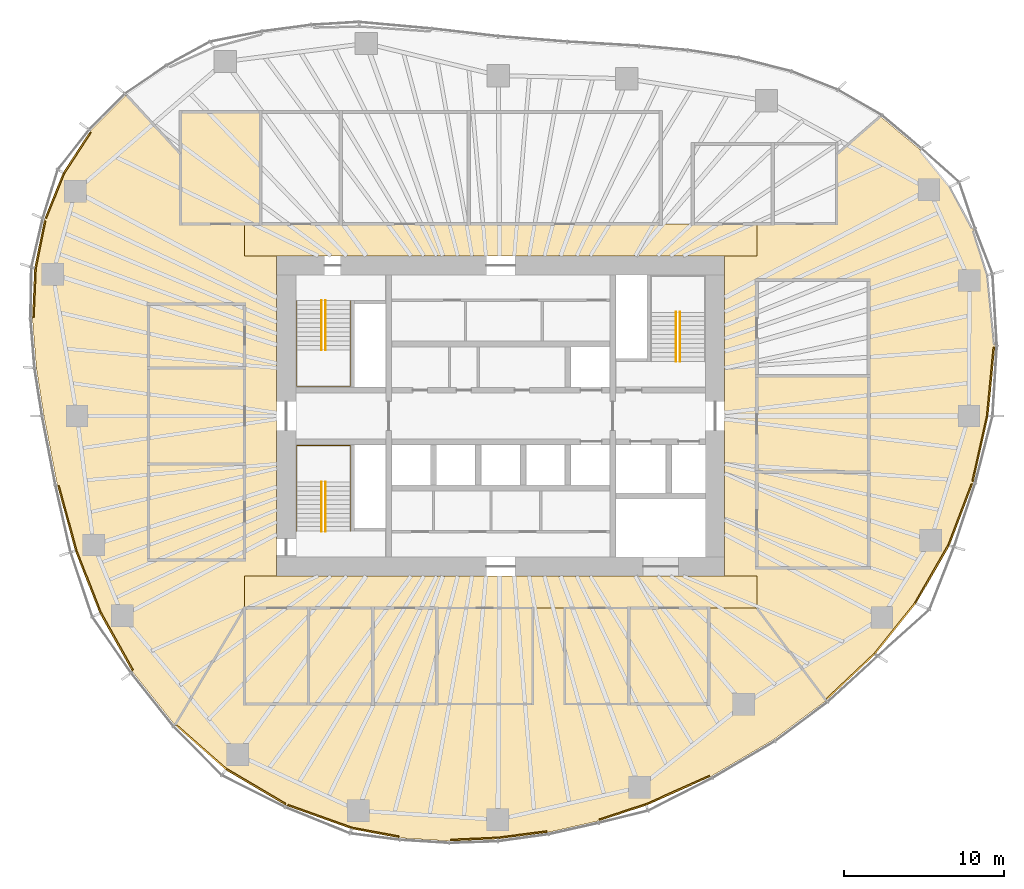
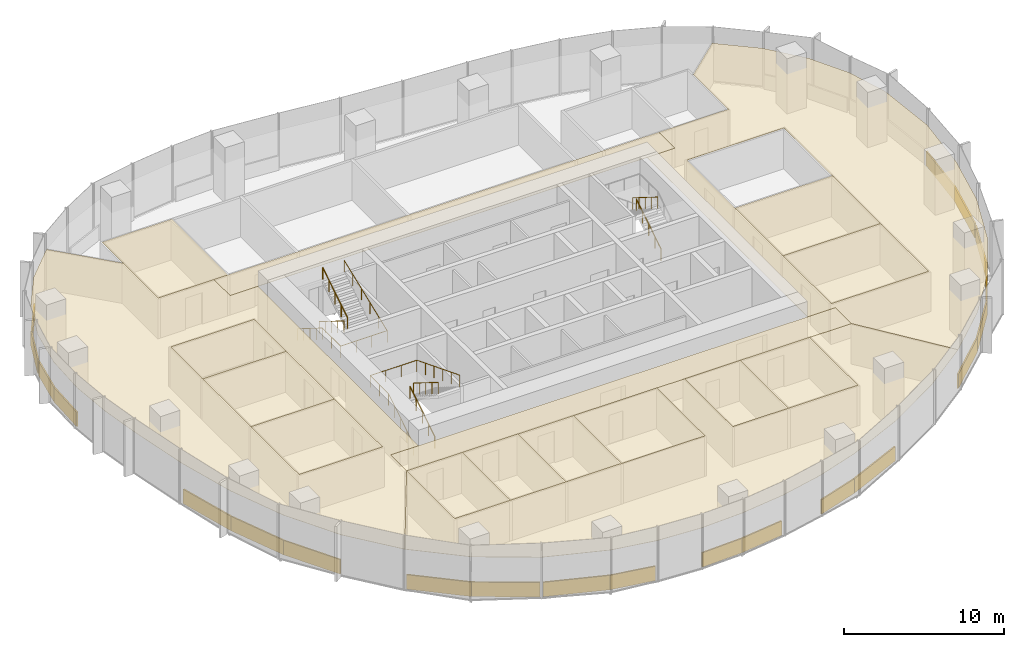
# One storey, part 17 of 18: 38 coverings, 8 railings.
"""IFC4 building model written with IfcOpenShell, lengths in metres."""

from ifc_helpers import new_model, si_unit, direction, frame, origin, origin_2d, place, context, subcontext, project, spatial, polyline, rectangle, circle, outline, extrude, material, layer, layer_set, type_object, element, save


model = new_model("IFC4")

# Units and contexts
model_context = context("Model", 3, precision=1e-05, world=origin(), true_north=direction((0.0, 1.0)))
body_context = subcontext(model_context, "Body", "Model", "MODEL_VIEW")
ifc_project = project(units=[si_unit("LENGTHUNIT", "METRE"), si_unit("AREAUNIT", "SQUARE_METRE"), si_unit("VOLUMEUNIT", "CUBIC_METRE"), si_unit("PLANEANGLEUNIT", "RADIAN"), si_unit("MASSUNIT", "GRAM", prefix="KILO")], contexts=[model_context])

# Site, building, storey
site_placement = place(None, origin())
site = spatial("IfcSite", under=ifc_project, at=site_placement, CompositionType="ELEMENT")
building_placement = place(site_placement, origin())
building = spatial("IfcBuilding", under=site, at=building_placement, Name="Ghaith Harvest Tower", CompositionType="ELEMENT")
storey_placement = place(building_placement, frame((0.0, 0.0, 180.60009765625)))
storey = spatial("IfcBuildingStorey", under=building, at=storey_placement, Name="L39", CompositionType="ELEMENT", Elevation=180.60009765625)

# Coverings
ifc_material_1 = material(Name="Mineral fibre ceiling tile", Category="gypsum")
ifc_layer_1 = layer(ifc_material_1, 0.02001953125)
ifc_layer_set_1 = layer_set([ifc_layer_1], Name="CEILING C1")
covering_type_1 = type_object("IfcCoveringType", Name="CEILING C1", PredefinedType="CEILING", material=ifc_layer_set_1)
covering_1_placement = place(storey_placement, frame((0.0, 0.0, 3.0)))
element("IfcCovering", 1, at=covering_1_placement, inside=storey, type_object=covering_type_1, Name="Ceiling L39-01", PredefinedType="CEILING", context=body_context, shape_type="SweptSolid", body=[
    extrude(outline(polyline([(-20.0, 12.0), (-15.0, 12.0), (-15.0, 19.0), (-20.0, 19.0), (-20.0, 12.0)])), origin(), (0.0, 0.0, 1.0), 0.02001953125),
])
covering_2_placement = place(storey_placement, frame((0.0, 0.0, 3.0)))
element("IfcCovering", 2, at=covering_2_placement, inside=storey, type_object=covering_type_1, Name="Ceiling L39-05", PredefinedType="CEILING", context=body_context, shape_type="SweptSolid", body=[
    extrude(outline(polyline([(16.0, -9.5), (23.0, -9.5), (23.0, -3.5), (16.0, -3.5), (16.0, -9.5)])), origin(), (0.0, 0.0, 1.0), 0.02001953125),
])
covering_3_placement = place(storey_placement, frame((0.0, 0.0, 3.0)))
element("IfcCovering", 3, at=covering_3_placement, inside=storey, type_object=covering_type_1, Name="Ceiling L39-06", PredefinedType="CEILING", context=body_context, shape_type="SweptSolid", body=[
    extrude(outline(polyline([(16.0, -3.5), (23.0, -3.5), (23.0, 2.5), (16.0, 2.5), (16.0, -3.5)])), origin(), (0.0, 0.0, 1.0), 0.02001953125),
])
covering_4_placement = place(storey_placement, frame((0.0, 0.0, 3.0)))
element("IfcCovering", 4, at=covering_4_placement, inside=storey, type_object=covering_type_1, Name="Ceiling L39-08", PredefinedType="CEILING", context=body_context, shape_type="SweptSolid", body=[
    extrude(outline(polyline([(-16.0, -18.0), (-12.0, -18.0), (-12.0, -12.0), (-16.0, -12.0), (-16.0, -18.0)])), origin(), (0.0, 0.0, 1.0), 0.02001953125),
])
covering_5_placement = place(storey_placement, frame((0.0, 0.0, 3.0)))
element("IfcCovering", 5, at=covering_5_placement, inside=storey, type_object=covering_type_1, Name="Ceiling L39-09", PredefinedType="CEILING", context=body_context, shape_type="SweptSolid", body=[
    extrude(outline(polyline([(-12.0, -18.0), (-8.0, -18.0), (-8.0, -12.0), (-12.0, -12.0), (-12.0, -18.0)])), origin(), (0.0, 0.0, 1.0), 0.02001953125),
])
covering_6_placement = place(storey_placement, frame((0.0, 0.0, 3.0)))
element("IfcCovering", 6, at=covering_6_placement, inside=storey, type_object=covering_type_1, Name="Ceiling L39-10", PredefinedType="CEILING", context=body_context, shape_type="SweptSolid", body=[
    extrude(outline(polyline([(-8.0, -18.0), (-4.0, -18.0), (-4.0, -12.0), (-8.0, -12.0), (-8.0, -18.0)])), origin(), (0.0, 0.0, 1.0), 0.02001953125),
])
covering_7_placement = place(storey_placement, frame((0.0, 0.0, 3.0)))
element("IfcCovering", 7, at=covering_7_placement, inside=storey, type_object=covering_type_1, Name="Ceiling L39-11", PredefinedType="CEILING", context=body_context, shape_type="SweptSolid", body=[
    extrude(outline(polyline([(-4.0, -18.0), (2.0, -18.0), (2.0, -12.0), (-4.0, -12.0), (-4.0, -18.0)])), origin(), (0.0, 0.0, 1.0), 0.02001953125),
])
covering_8_placement = place(storey_placement, frame((0.0, 0.0, 3.0)))
element("IfcCovering", 8, at=covering_8_placement, inside=storey, type_object=covering_type_1, Name="Ceiling L39-12", PredefinedType="CEILING", context=body_context, shape_type="SweptSolid", body=[
    extrude(outline(polyline([(4.0, -18.0), (8.0, -18.0), (8.0, -12.0), (4.0, -12.0), (4.0, -18.0)])), origin(), (0.0, 0.0, 1.0), 0.02001953125),
])
covering_9_placement = place(storey_placement, frame((0.0, 0.0, 3.0)))
element("IfcCovering", 9, at=covering_9_placement, inside=storey, type_object=covering_type_1, Name="Ceiling L39-13", PredefinedType="CEILING", context=body_context, shape_type="SweptSolid", body=[
    extrude(outline(polyline([(8.0, -18.0), (13.0, -18.0), (13.0, -12.0), (8.0, -12.0), (8.0, -18.0)])), origin(), (0.0, 0.0, 1.0), 0.02001953125),
])
covering_10_placement = place(storey_placement, frame((0.0, 0.0, 3.0)))
element("IfcCovering", 10, at=covering_10_placement, inside=storey, type_object=covering_type_1, Name="Ceiling L39-14", PredefinedType="CEILING", context=body_context, shape_type="SweptSolid", body=[
    extrude(outline(polyline([(-22.0, -9.0), (-16.0, -9.0), (-16.0, -3.0), (-22.0, -3.0), (-22.0, -9.0)])), origin(), (0.0, 0.0, 1.0), 0.02001953125),
])
covering_11_placement = place(storey_placement, frame((0.0, 0.0, 3.0)))
element("IfcCovering", 11, at=covering_11_placement, inside=storey, type_object=covering_type_1, Name="Ceiling L39-15", PredefinedType="CEILING", context=body_context, shape_type="SweptSolid", body=[
    extrude(outline(polyline([(-22.0, -3.0), (-16.0, -3.0), (-16.0, 3.0), (-22.0, 3.0), (-22.0, -3.0)])), origin(), (0.0, 0.0, 1.0), 0.02001953125),
])
covering_12_placement = place(storey_placement, frame((0.0, 0.0, 3.0)))
element("IfcCovering", 12, at=covering_12_placement, inside=storey, type_object=covering_type_1, Name="Ceiling L39-16", PredefinedType="CEILING", context=body_context, shape_type="SweptSolid", body=[
    extrude(outline(polyline([(-22.0, 3.0), (-16.0, 3.0), (-16.0, 7.0), (-22.0, 7.0), (-22.0, 3.0)])), origin(), (0.0, 0.0, 1.0), 0.02001953125),
])
covering_13_placement = place(storey_placement, frame((0.0, 0.0, 3.0)))
element("IfcCovering", 13, at=covering_13_placement, inside=storey, type_object=covering_type_1, Name="Ceiling L39-C1", PredefinedType="CEILING", context=body_context, shape_type="SweptSolid", body=[
    extrude(outline(polyline([(16.0, 10.0), (-16.0, 10.0), (-16.0, 12.0), (16.0, 12.0), (16.0, 10.0)])), origin(), (0.0, 0.0, 1.0), 0.02001953125),
])
covering_14_placement = place(storey_placement, frame((0.0, 0.0, 3.0)))
element("IfcCovering", 14, at=covering_14_placement, inside=storey, type_object=covering_type_1, Name="Ceiling L39-C2", PredefinedType="CEILING", context=body_context, shape_type="SweptSolid", body=[
    extrude(outline(polyline([(-16.0, -10.0), (16.0, -10.0), (16.0, -12.0), (-16.0, -12.0), (-16.0, -10.0)])), origin(), (0.0, 0.0, 1.0), 0.02001953125),
])
covering_15_placement = place(storey_placement, frame((0.0, 0.0, 3.0)))
element("IfcCovering", 15, at=covering_15_placement, inside=storey, type_object=covering_type_1, Name="Ceiling L39-E1", PredefinedType="CEILING", context=body_context, shape_type="SweptSolid", body=[
    extrude(outline(polyline([(26.179443359375, 16.660888671875), (28.0888671875, 14.32568359375), (29.52294921875, 11.671875), (30.439208984375, 8.797607421875), (30.8798828125, 4.373046875), (30.458740234375, 0.0), (29.527099609375, -4.181396484375), (28.03125, -8.1015625), (25.94775390625, -11.714111328125), (23.400390625, -14.89208984375), (20.33935546875, -17.784912109375), (16.0, -12.0), (16.0, -10.0), (14.0, -10.0), (14.0, 10.0), (16.0, 10.0), (16.0, 12.0), (21.0, 12.0), (21.0, 16.3466796875), (23.7275390625, 18.718017578125), (26.179443359375, 16.660888671875)]), holes=[polyline([(16.0, -9.5), (23.0, -9.5), (23.0, 8.5), (16.0, 8.5), (16.0, -9.5)])]), origin(), (0.0, 0.0, 1.0), 0.02001953125),
])
covering_16_placement = place(storey_placement, frame((0.0, 0.0, 3.0)))
element("IfcCovering", 16, at=covering_16_placement, inside=storey, type_object=covering_type_1, Name="Ceiling L39-S1", PredefinedType="CEILING", context=body_context, shape_type="SweptSolid", body=[
    extrude(outline(polyline([(17.054443359375, -20.22412109375), (13.163818359375, -22.510498046875), (9.09423828125, -24.326904296875), (6.09228515625, -25.308837890625), (2.99609375, -26.010009765625), (-0.180908203125, -26.423583984375), (-3.204833984375, -26.556884765625), (-6.2666015625, -26.366455078125), (-9.317138671875, -25.79638671875), (-13.4052734375, -24.33740234375), (-17.1728515625, -22.11181640625), (-20.35400390625, -19.31396484375), (-16.0, -12.0), (-16.0, -18.0), (2.0, -18.0), (2.0, -12.0), (4.0, -12.0), (4.0, -18.0), (13.0, -18.0), (13.0, -12.0), (16.0, -12.0), (20.33935546875, -17.784912109375), (17.054443359375, -20.22412109375)])), origin(), (0.0, 0.0, 1.0), 0.02001953125),
])
covering_17_placement = place(storey_placement, frame((0.0, 0.0, 3.0)))
element("IfcCovering", 17, at=covering_17_placement, inside=storey, type_object=covering_type_1, Name="Ceiling L39-W1", PredefinedType="CEILING", context=body_context, shape_type="SweptSolid", body=[
    extrude(outline(polyline([(-27.70947265625, -4.285888671875), (-28.541259765625, 0.0), (-29.01171875, 2.978271484375), (-29.260498046875, 6.07177734375), (-29.12646484375, 9.230712890625), (-28.506591796875, 12.29638671875), (-27.33837890625, 15.204833984375), (-25.61962890625, 17.826416015625), (-23.398193359375, 20.06103515625), (-20.0, 16.3583984375), (-20.0, 12.0), (-16.0, 12.0), (-16.0, 10.0), (-14.0, 10.0), (-14.0, -10.0), (-16.0, -10.0), (-16.0, -12.0), (-20.35400390625, -19.31396484375), (-22.99169921875, -15.997802734375), (-25.046875, -12.32861328125), (-26.580078125, -8.423583984375), (-27.70947265625, -4.285888671875)]), holes=[polyline([(-22.0, 7.0), (-22.0, -9.0), (-16.0, -9.0), (-16.0, 7.0), (-22.0, 7.0)])]), origin(), (0.0, 0.0, 1.0), 0.02001953125),
])

# Railings
ifc_material_2 = material(Name="Steel, black powder-coated", Category="steel")
railing_type = type_object("IfcRailingType", Name="HANDRAIL HR1", PredefinedType="HANDRAIL", material=ifc_material_2)
railing_1_placement = place(storey_placement, frame((-11.199951171875, 7.199951171875, 0.1748046875)))
element("IfcRailing", 18, at=railing_1_placement, inside=storey, type_object=railing_type, Name="Handrail HR1 stair ST1 L39 flight 1 inner", PredefinedType="HANDRAIL", context=body_context, shape_type="SweptSolid", body=[
    extrude(circle(Radius=0.02392578125, at=origin_2d()), frame((0.0, 0.0, 0.8759765625), z_axis=(0.0, -0.847979421464, 0.530029150871), x_axis=(1.0, 0.0, 0.0)), (0.0, 0.0, 1.0), 3.632080078125),
    extrude(circle(Radius=0.02099609375, at=origin_2d()), origin(), (0.0, 0.0, 1.0), 0.851806640625),
    extrude(circle(Radius=0.02099609375, at=origin_2d()), frame((0.0, -0.77001953125, 0.481201171875)), (0.0, 0.0, 1.0), 0.851806640625),
    extrude(circle(Radius=0.02099609375, at=origin_2d()), frame((0.0, -1.5400390625, 0.96240234375)), (0.0, 0.0, 1.0), 0.851806640625),
    extrude(circle(Radius=0.02099609375, at=origin_2d()), frame((0.0, -2.309814453125, 1.44384765625)), (0.0, 0.0, 1.0), 0.851806640625),
    extrude(circle(Radius=0.02099609375, at=origin_2d()), frame((0.0, -3.079833984375, 1.925048828125)), (0.0, 0.0, 1.0), 0.851806640625),
])
railing_2_placement = place(storey_placement, frame((-10.949951171875, 4.1201171875, 2.27490234375)))
element("IfcRailing", 19, at=railing_2_placement, inside=storey, type_object=railing_type, Name="Handrail HR1 stair ST1 L39 flight 2 inner", PredefinedType="HANDRAIL", context=body_context, shape_type="SweptSolid", body=[
    extrude(circle(Radius=0.02392578125, at=origin_2d()), frame((0.0, 0.0, 0.8759765625), z_axis=(0.0, 0.847979421464, 0.530029150871), x_axis=(-1.0, 0.0, 0.0)), (0.0, 0.0, 1.0), 3.632080078125),
    extrude(circle(Radius=0.02099609375, at=origin_2d()), origin(), (0.0, 0.0, 1.0), 0.851806640625),
    extrude(circle(Radius=0.02099609375, at=origin_2d()), frame((0.0, 0.77001953125, 0.481201171875)), (0.0, 0.0, 1.0), 0.851806640625),
    extrude(circle(Radius=0.02099609375, at=origin_2d()), frame((0.0, 1.5400390625, 0.96240234375)), (0.0, 0.0, 1.0), 0.851806640625),
    extrude(circle(Radius=0.02099609375, at=origin_2d()), frame((0.0, 2.309814453125, 1.44384765625)), (0.0, 0.0, 1.0), 0.851806640625),
    extrude(circle(Radius=0.02099609375, at=origin_2d()), frame((0.0, 3.079833984375, 1.925048828125)), (0.0, 0.0, 1.0), 0.851806640625),
])
railing_3_placement = place(storey_placement, frame((-12.75, 7.199951171875, 0.1748046875)))
element("IfcRailing", 20, at=railing_3_placement, inside=storey, type_object=railing_type, Name="Handrail HR1 stair ST1 L39 wall side", PredefinedType="HANDRAIL", context=body_context, shape_type="SweptSolid", body=[
    extrude(circle(Radius=0.02392578125, at=origin_2d()), frame((0.0, 0.0, 0.8759765625), z_axis=(0.0, -0.847979421464, 0.530029150871), x_axis=(1.0, 0.0, 0.0)), (0.0, 0.0, 1.0), 3.632080078125),
    extrude(circle(Radius=0.02392578125, at=origin_2d()), frame((0.0, -3.079833984375, 2.80078125), z_axis=(0.0, -1.0, 0.0), x_axis=(1.0, 0.0, 0.0)), (0.0, 0.0, 1.0), 2.27001953125),
    extrude(circle(Radius=0.02392578125, at=origin_2d()), frame((0.0, -5.349853515625, 2.80078125), z_axis=(1.0, 0.0, 0.0), x_axis=(0.0, 1.0, 0.0)), (0.0, 0.0, 1.0), 3.35009765625),
    extrude(circle(Radius=0.02392578125, at=origin_2d()), frame((3.35009765625, -5.349853515625, 2.80078125), z_axis=(0.0, 0.930848013298, 0.36540659017), x_axis=(-1.0, 0.0, 0.0)), (0.0, 0.0, 1.0), 5.747314453125),
    extrude(circle(Radius=0.02099609375, at=origin_2d()), origin(), (0.0, 0.0, 1.0), 0.851806640625),
    extrude(circle(Radius=0.02099609375, at=origin_2d()), frame((0.0, -0.77001953125, 0.481201171875)), (0.0, 0.0, 1.0), 0.851806640625),
    extrude(circle(Radius=0.02099609375, at=origin_2d()), frame((0.0, -1.5400390625, 0.96240234375)), (0.0, 0.0, 1.0), 0.851806640625),
    extrude(circle(Radius=0.02099609375, at=origin_2d()), frame((0.0, -2.309814453125, 1.44384765625)), (0.0, 0.0, 1.0), 0.851806640625),
    extrude(circle(Radius=0.02099609375, at=origin_2d()), frame((0.0, -3.079833984375, 1.925048828125)), (0.0, 0.0, 1.0), 0.851806640625),
    extrude(circle(Radius=0.02099609375, at=origin_2d()), frame((0.0, -4.21484375, 1.925048828125)), (0.0, 0.0, 1.0), 0.851806640625),
    extrude(circle(Radius=0.02099609375, at=origin_2d()), frame((0.0, -5.349853515625, 1.925048828125)), (0.0, 0.0, 1.0), 0.851806640625),
    extrude(circle(Radius=0.02099609375, at=origin_2d()), frame((1.11669921875, -5.349853515625, 1.925048828125)), (0.0, 0.0, 1.0), 0.851806640625),
    extrude(circle(Radius=0.02099609375, at=origin_2d()), frame((2.2333984375, -5.349853515625, 1.925048828125)), (0.0, 0.0, 1.0), 0.851806640625),
    extrude(circle(Radius=0.02099609375, at=origin_2d()), frame((3.35009765625, -5.349853515625, 1.925048828125)), (0.0, 0.0, 1.0), 0.851806640625),
    extrude(circle(Radius=0.02099609375, at=origin_2d()), frame((3.35009765625, -4.27978515625, 2.344970703125)), (0.0, 0.0, 1.0), 0.851806640625),
    extrude(circle(Radius=0.02099609375, at=origin_2d()), frame((3.35009765625, -3.2099609375, 2.76513671875)), (0.0, 0.0, 1.0), 0.851806640625),
    extrude(circle(Radius=0.02099609375, at=origin_2d()), frame((3.35009765625, -2.139892578125, 3.18505859375)), (0.0, 0.0, 1.0), 0.851806640625),
    extrude(circle(Radius=0.02099609375, at=origin_2d()), frame((3.35009765625, -1.070068359375, 3.605224609375)), (0.0, 0.0, 1.0), 0.851806640625),
    extrude(circle(Radius=0.02099609375, at=origin_2d()), frame((3.35009765625, 0.0, 4.025146484375)), (0.0, 0.0, 1.0), 0.851806640625),
])
railing_4_placement = place(storey_placement, frame((-11.199951171875, -7.199951171875, 0.1748046875)))
element("IfcRailing", 21, at=railing_4_placement, inside=storey, type_object=railing_type, Name="Handrail HR1 stair ST3 L39 flight 1 inner", PredefinedType="HANDRAIL", context=body_context, shape_type="SweptSolid", body=[
    extrude(circle(Radius=0.02392578125, at=origin_2d()), frame((0.0, 0.0, 0.8759765625), z_axis=(0.0, 0.847979421464, 0.530029150871), x_axis=(-1.0, 0.0, 0.0)), (0.0, 0.0, 1.0), 3.632080078125),
    extrude(circle(Radius=0.02099609375, at=origin_2d()), origin(), (0.0, 0.0, 1.0), 0.851806640625),
    extrude(circle(Radius=0.02099609375, at=origin_2d()), frame((0.0, 0.77001953125, 0.481201171875)), (0.0, 0.0, 1.0), 0.851806640625),
    extrude(circle(Radius=0.02099609375, at=origin_2d()), frame((0.0, 1.5400390625, 0.96240234375)), (0.0, 0.0, 1.0), 0.851806640625),
    extrude(circle(Radius=0.02099609375, at=origin_2d()), frame((0.0, 2.309814453125, 1.44384765625)), (0.0, 0.0, 1.0), 0.851806640625),
    extrude(circle(Radius=0.02099609375, at=origin_2d()), frame((0.0, 3.079833984375, 1.925048828125)), (0.0, 0.0, 1.0), 0.851806640625),
])
railing_5_placement = place(storey_placement, frame((-10.949951171875, -4.1201171875, 2.27490234375)))
element("IfcRailing", 22, at=railing_5_placement, inside=storey, type_object=railing_type, Name="Handrail HR1 stair ST3 L39 flight 2 inner", PredefinedType="HANDRAIL", context=body_context, shape_type="SweptSolid", body=[
    extrude(circle(Radius=0.02392578125, at=origin_2d()), frame((0.0, 0.0, 0.8759765625), z_axis=(0.0, -0.847979421464, 0.530029150871), x_axis=(1.0, 0.0, 0.0)), (0.0, 0.0, 1.0), 3.632080078125),
    extrude(circle(Radius=0.02099609375, at=origin_2d()), origin(), (0.0, 0.0, 1.0), 0.851806640625),
    extrude(circle(Radius=0.02099609375, at=origin_2d()), frame((0.0, -0.77001953125, 0.481201171875)), (0.0, 0.0, 1.0), 0.851806640625),
    extrude(circle(Radius=0.02099609375, at=origin_2d()), frame((0.0, -1.5400390625, 0.96240234375)), (0.0, 0.0, 1.0), 0.851806640625),
    extrude(circle(Radius=0.02099609375, at=origin_2d()), frame((0.0, -2.309814453125, 1.44384765625)), (0.0, 0.0, 1.0), 0.851806640625),
    extrude(circle(Radius=0.02099609375, at=origin_2d()), frame((0.0, -3.079833984375, 1.925048828125)), (0.0, 0.0, 1.0), 0.851806640625),
])
railing_6_placement = place(storey_placement, frame((-12.75, -7.199951171875, 0.1748046875)))
element("IfcRailing", 23, at=railing_6_placement, inside=storey, type_object=railing_type, Name="Handrail HR1 stair ST3 L39 wall side", PredefinedType="HANDRAIL", context=body_context, shape_type="SweptSolid", body=[
    extrude(circle(Radius=0.02392578125, at=origin_2d()), frame((0.0, 0.0, 0.8759765625), z_axis=(0.0, 0.847979421464, 0.530029150871), x_axis=(-1.0, 0.0, 0.0)), (0.0, 0.0, 1.0), 3.632080078125),
    extrude(circle(Radius=0.02392578125, at=origin_2d()), frame((0.0, 3.079833984375, 2.80078125), z_axis=(0.0, 1.0, 0.0), x_axis=(-1.0, 0.0, 0.0)), (0.0, 0.0, 1.0), 2.27001953125),
    extrude(circle(Radius=0.02392578125, at=origin_2d()), frame((0.0, 5.349853515625, 2.80078125), z_axis=(1.0, 0.0, 0.0), x_axis=(0.0, 1.0, 0.0)), (0.0, 0.0, 1.0), 3.35009765625),
    extrude(circle(Radius=0.02392578125, at=origin_2d()), frame((3.35009765625, 5.349853515625, 2.80078125), z_axis=(0.0, -0.930848013298, 0.36540659017), x_axis=(1.0, 0.0, 0.0)), (0.0, 0.0, 1.0), 5.747314453125),
    extrude(circle(Radius=0.02099609375, at=origin_2d()), origin(), (0.0, 0.0, 1.0), 0.851806640625),
    extrude(circle(Radius=0.02099609375, at=origin_2d()), frame((0.0, 0.77001953125, 0.481201171875)), (0.0, 0.0, 1.0), 0.851806640625),
    extrude(circle(Radius=0.02099609375, at=origin_2d()), frame((0.0, 1.5400390625, 0.96240234375)), (0.0, 0.0, 1.0), 0.851806640625),
    extrude(circle(Radius=0.02099609375, at=origin_2d()), frame((0.0, 2.309814453125, 1.44384765625)), (0.0, 0.0, 1.0), 0.851806640625),
    extrude(circle(Radius=0.02099609375, at=origin_2d()), frame((0.0, 3.079833984375, 1.925048828125)), (0.0, 0.0, 1.0), 0.851806640625),
    extrude(circle(Radius=0.02099609375, at=origin_2d()), frame((0.0, 4.21484375, 1.925048828125)), (0.0, 0.0, 1.0), 0.851806640625),
    extrude(circle(Radius=0.02099609375, at=origin_2d()), frame((0.0, 5.349853515625, 1.925048828125)), (0.0, 0.0, 1.0), 0.851806640625),
    extrude(circle(Radius=0.02099609375, at=origin_2d()), frame((1.11669921875, 5.349853515625, 1.925048828125)), (0.0, 0.0, 1.0), 0.851806640625),
    extrude(circle(Radius=0.02099609375, at=origin_2d()), frame((2.2333984375, 5.349853515625, 1.925048828125)), (0.0, 0.0, 1.0), 0.851806640625),
    extrude(circle(Radius=0.02099609375, at=origin_2d()), frame((3.35009765625, 5.349853515625, 1.925048828125)), (0.0, 0.0, 1.0), 0.851806640625),
    extrude(circle(Radius=0.02099609375, at=origin_2d()), frame((3.35009765625, 4.27978515625, 2.344970703125)), (0.0, 0.0, 1.0), 0.851806640625),
    extrude(circle(Radius=0.02099609375, at=origin_2d()), frame((3.35009765625, 3.2099609375, 2.76513671875)), (0.0, 0.0, 1.0), 0.851806640625),
    extrude(circle(Radius=0.02099609375, at=origin_2d()), frame((3.35009765625, 2.139892578125, 3.18505859375)), (0.0, 0.0, 1.0), 0.851806640625),
    extrude(circle(Radius=0.02099609375, at=origin_2d()), frame((3.35009765625, 1.070068359375, 3.605224609375)), (0.0, 0.0, 1.0), 0.851806640625),
    extrude(circle(Radius=0.02099609375, at=origin_2d()), frame((3.35009765625, 0.0, 4.025146484375)), (0.0, 0.0, 1.0), 0.851806640625),
])
railing_7_placement = place(storey_placement, frame((11.199951171875, 3.39990234375, 0.1748046875)))
element("IfcRailing", 24, at=railing_7_placement, inside=storey, type_object=railing_type, Name="Handrail HR1 stair ST2 L39 flight 1 inner", PredefinedType="HANDRAIL", context=body_context, shape_type="SweptSolid", body=[
    extrude(circle(Radius=0.02392578125, at=origin_2d()), frame((0.0, 0.0, 0.8759765625), z_axis=(0.0, 0.847998304005, 0.529998940003), x_axis=(-1.0, 0.0, 0.0)), (0.0, 0.0, 1.0), 3.632080078125),
    extrude(circle(Radius=0.02099609375, at=origin_2d()), origin(), (0.0, 0.0, 1.0), 0.851806640625),
    extrude(circle(Radius=0.02099609375, at=origin_2d()), frame((0.0, 0.77001953125, 0.481201171875)), (0.0, 0.0, 1.0), 0.851806640625),
    extrude(circle(Radius=0.02099609375, at=origin_2d()), frame((0.0, 1.5400390625, 0.96240234375)), (0.0, 0.0, 1.0), 0.851806640625),
    extrude(circle(Radius=0.02099609375, at=origin_2d()), frame((0.0, 2.31005859375, 1.44384765625)), (0.0, 0.0, 1.0), 0.851806640625),
    extrude(circle(Radius=0.02099609375, at=origin_2d()), frame((0.0, 3.080078125, 1.925048828125)), (0.0, 0.0, 1.0), 0.851806640625),
])
railing_8_placement = place(storey_placement, frame((10.949951171875, 6.47998046875, 2.27490234375)))
element("IfcRailing", 25, at=railing_8_placement, inside=storey, type_object=railing_type, Name="Handrail HR1 stair ST2 L39 flight 2 inner", PredefinedType="HANDRAIL", context=body_context, shape_type="SweptSolid", body=[
    extrude(circle(Radius=0.02392578125, at=origin_2d()), frame((0.0, 0.0, 0.8759765625), z_axis=(0.0, -0.847998304005, 0.529998940003), x_axis=(1.0, 0.0, 0.0)), (0.0, 0.0, 1.0), 3.632080078125),
    extrude(circle(Radius=0.02099609375, at=origin_2d()), origin(), (0.0, 0.0, 1.0), 0.851806640625),
    extrude(circle(Radius=0.02099609375, at=origin_2d()), frame((0.0, -0.77001953125, 0.481201171875)), (0.0, 0.0, 1.0), 0.851806640625),
    extrude(circle(Radius=0.02099609375, at=origin_2d()), frame((0.0, -1.5400390625, 0.96240234375)), (0.0, 0.0, 1.0), 0.851806640625),
    extrude(circle(Radius=0.02099609375, at=origin_2d()), frame((0.0, -2.31005859375, 1.44384765625)), (0.0, 0.0, 1.0), 0.851806640625),
    extrude(circle(Radius=0.02099609375, at=origin_2d()), frame((0.0, -3.080078125, 1.925048828125)), (0.0, 0.0, 1.0), 0.851806640625),
])

# Coverings
ifc_material_3 = material(Name="Insulated aluminium spandrel panel on steel framing", Category="steel")
ifc_layer_2 = layer(ifc_material_3, 0.10009765625)
ifc_layer_set_2 = layer_set([ifc_layer_2], Name="SLAB EDGE UPSTAND 1100x100")
covering_type_2 = type_object("IfcCoveringType", Name="SLAB EDGE UPSTAND 1100x100", PredefinedType="CLADDING", material=ifc_layer_set_2)
covering_18_placement = place(storey_placement, frame((30.61474609375, 2.1416015625, -0.000244140625), z_axis=(0.0, 0.0, 1.0), x_axis=(0.095861332319, 0.99539469808, 0.0)))
element("IfcCovering", 26, at=covering_18_placement, inside=storey, type_object=covering_type_2, Name="Slab edge upstand 1 bay 01 L39", PredefinedType="CLADDING", context=body_context, shape_type="SweptSolid", body=[
    extrude(rectangle(XDim=4.293212890625, YDim=0.10009765625, at=origin_2d()), origin(), (0.0, 0.0, 1.0), 1.10009765625),
])
covering_19_placement = place(storey_placement, frame((-26.464599609375, 16.4462890625, -0.000244140625), z_axis=(0.0, 0.0, 1.0), x_axis=(-0.548312211554, -0.836273710373, 0.0)))
element("IfcCovering", 27, at=covering_19_placement, inside=storey, type_object=covering_type_2, Name="Slab edge upstand 1 bay 09 L39", PredefinedType="CLADDING", context=body_context, shape_type="SweptSolid", body=[
    extrude(rectangle(XDim=3.03466796875, YDim=0.10009765625, at=origin_2d()), origin(), (0.0, 0.0, 1.0), 1.10009765625),
])
covering_20_placement = place(storey_placement, frame((-27.857421875, 13.7783203125, -0.000244140625), z_axis=(0.0, 0.0, 1.0), x_axis=(-0.372732078847, -0.927939005215, 0.0)))
element("IfcCovering", 28, at=covering_20_placement, inside=storey, type_object=covering_type_2, Name="Slab edge upstand 2 bay 09 L39", PredefinedType="CLADDING", context=body_context, shape_type="SweptSolid", body=[
    extrude(rectangle(XDim=3.034423828125, YDim=0.10009765625, at=origin_2d()), origin(), (0.0, 0.0, 1.0), 1.10009765625),
])
covering_21_placement = place(storey_placement, frame((-28.777587890625, 10.70458984375, -0.000244140625), z_axis=(0.0, 0.0, 1.0), x_axis=(-0.198182542943, -0.980165128778, 0.0)))
element("IfcCovering", 29, at=covering_21_placement, inside=storey, type_object=covering_type_2, Name="Slab edge upstand 3 bay 09 L39", PredefinedType="CLADDING", context=body_context, shape_type="SweptSolid", body=[
    extrude(rectangle(XDim=3.027587890625, YDim=0.10009765625, at=origin_2d()), origin(), (0.0, 0.0, 1.0), 1.10009765625),
])
covering_22_placement = place(storey_placement, frame((-29.141357421875, 7.69921875, -0.000244140625), z_axis=(0.0, 0.0, 1.0), x_axis=(-0.042372799788, -0.9991018696, 0.0)))
element("IfcCovering", 30, at=covering_22_placement, inside=storey, type_object=covering_type_2, Name="Slab edge upstand 1 bay 10 L39", PredefinedType="CLADDING", context=body_context, shape_type="SweptSolid", body=[
    extrude(rectangle(XDim=3.061767578125, YDim=0.10009765625, at=origin_2d()), origin(), (0.0, 0.0, 1.0), 1.10009765625),
])
covering_23_placement = place(storey_placement, frame((-27.08349609375, -6.389892578125, -0.000244140625), z_axis=(0.0, 0.0, 1.0), x_axis=(0.263287721652, -0.964717355305, 0.0)))
element("IfcCovering", 31, at=covering_23_placement, inside=storey, type_object=covering_type_2, Name="Slab edge upstand 2 bay 11 L39", PredefinedType="CLADDING", context=body_context, shape_type="SweptSolid", body=[
    extrude(rectangle(XDim=4.189208984375, YDim=0.10009765625, at=origin_2d()), origin(), (0.0, 0.0, 1.0), 1.10009765625),
])
covering_24_placement = place(storey_placement, frame((-25.76708984375, -10.35791015625, -0.000244140625), z_axis=(0.0, 0.0, 1.0), x_axis=(0.365514970008, -0.930805461254, 0.0)))
element("IfcCovering", 32, at=covering_24_placement, inside=storey, type_object=covering_type_2, Name="Slab edge upstand 1 bay 12 L39", PredefinedType="CLADDING", context=body_context, shape_type="SweptSolid", body=[
    extrude(rectangle(XDim=4.195068359375, YDim=0.10009765625, at=origin_2d()), origin(), (0.0, 0.0, 1.0), 1.10009765625),
])
covering_25_placement = place(storey_placement, frame((-24.0, -14.09521484375, -0.000244140625), z_axis=(0.0, 0.0, 1.0), x_axis=(0.488683758288, -0.872460993045, 0.0)))
element("IfcCovering", 33, at=covering_25_placement, inside=storey, type_object=covering_type_2, Name="Slab edge upstand 2 bay 12 L39", PredefinedType="CLADDING", context=body_context, shape_type="SweptSolid", body=[
    extrude(rectangle(XDim=4.10546875, YDim=0.10009765625, at=origin_2d()), origin(), (0.0, 0.0, 1.0), 1.10009765625),
])
covering_26_placement = place(storey_placement, frame((-18.69287109375, -20.70849609375, -0.000244140625), z_axis=(0.0, 0.0, 1.0), x_axis=(0.75089221411, -0.660424774511, 0.0)))
element("IfcCovering", 34, at=covering_26_placement, inside=storey, type_object=covering_type_2, Name="Slab edge upstand 2 bay 13 L39", PredefinedType="CLADDING", context=body_context, shape_type="SweptSolid", body=[
    extrude(rectangle(XDim=4.136474609375, YDim=0.10009765625, at=origin_2d()), origin(), (0.0, 0.0, 1.0), 1.10009765625),
])
covering_27_placement = place(storey_placement, frame((-15.306640625, -23.15625, -0.000244140625), z_axis=(0.0, 0.0, 1.0), x_axis=(0.861020519069, -0.508570217121, 0.0)))
element("IfcCovering", 35, at=covering_27_placement, inside=storey, type_object=covering_type_2, Name="Slab edge upstand 1 bay 14 L39", PredefinedType="CLADDING", context=body_context, shape_type="SweptSolid", body=[
    extrude(rectangle(XDim=4.27587890625, YDim=0.10009765625, at=origin_2d()), origin(), (0.0, 0.0, 1.0), 1.10009765625),
])
covering_28_placement = place(storey_placement, frame((-11.29736328125, -25.03662109375, -0.000244140625), z_axis=(0.0, 0.0, 1.0), x_axis=(0.941807015649, -0.336154049915, 0.0)))
element("IfcCovering", 36, at=covering_28_placement, inside=storey, type_object=covering_type_2, Name="Slab edge upstand 2 bay 14 L39", PredefinedType="CLADDING", context=body_context, shape_type="SweptSolid", body=[
    extrude(rectangle(XDim=4.24072265625, YDim=0.10009765625, at=origin_2d()), origin(), (0.0, 0.0, 1.0), 1.10009765625),
])
covering_29_placement = place(storey_placement, frame((-7.831787109375, -26.023193359375, -0.000244140625), z_axis=(0.0, 0.0, 1.0), x_axis=(0.982990071164, -0.183658705191, 0.0)))
element("IfcCovering", 37, at=covering_29_placement, inside=storey, type_object=covering_type_2, Name="Slab edge upstand 1 bay 15 L39", PredefinedType="CLADDING", context=body_context, shape_type="SweptSolid", body=[
    extrude(rectangle(XDim=3.003173828125, YDim=0.10009765625, at=origin_2d()), origin(), (0.0, 0.0, 1.0), 1.10009765625),
])
covering_30_placement = place(storey_placement, frame((-1.64501953125, -26.43798828125, -0.000244140625), z_axis=(0.0, 0.0, 1.0), x_axis=(0.999029547734, 0.044045008275, 0.0)))
element("IfcCovering", 38, at=covering_30_placement, inside=storey, type_object=covering_type_2, Name="Slab edge upstand 3 bay 15 L39", PredefinedType="CLADDING", context=body_context, shape_type="SweptSolid", body=[
    extrude(rectangle(XDim=2.927001953125, YDim=0.10009765625, at=origin_2d()), origin(), (0.0, 0.0, 1.0), 1.10009765625),
])
covering_31_placement = place(storey_placement, frame((1.3515625, -26.173583984375, -0.000244140625), z_axis=(0.0, 0.0, 1.0), x_axis=(0.991633707242, 0.129083657611, 0.0)))
element("IfcCovering", 39, at=covering_31_placement, inside=storey, type_object=covering_type_2, Name="Slab edge upstand 1 bay 16 L39", PredefinedType="CLADDING", context=body_context, shape_type="SweptSolid", body=[
    extrude(rectangle(XDim=3.103759765625, YDim=0.10009765625, at=origin_2d()), origin(), (0.0, 0.0, 1.0), 1.10009765625),
])
covering_32_placement = place(storey_placement, frame((7.625244140625, -24.754638671875, -0.000244140625), z_axis=(0.0, 0.0, 1.0), x_axis=(0.950441392134, 0.310903779518, 0.0)))
element("IfcCovering", 40, at=covering_32_placement, inside=storey, type_object=covering_type_2, Name="Slab edge upstand 3 bay 16 L39", PredefinedType="CLADDING", context=body_context, shape_type="SweptSolid", body=[
    extrude(rectangle(XDim=3.05859375, YDim=0.10009765625, at=origin_2d()), origin(), (0.0, 0.0, 1.0), 1.10009765625),
])
covering_33_placement = place(storey_placement, frame((11.06298828125, -23.393310546875, -0.000244140625), z_axis=(0.0, 0.0, 1.0), x_axis=(0.913170343632, 0.407578119519, 0.0)))
element("IfcCovering", 41, at=covering_33_placement, inside=storey, type_object=covering_type_2, Name="Slab edge upstand 1 bay 17 L39", PredefinedType="CLADDING", context=body_context, shape_type="SweptSolid", body=[
    extrude(rectangle(XDim=4.356689453125, YDim=0.10009765625, at=origin_2d()), origin(), (0.0, 0.0, 1.0), 1.10009765625),
])
covering_34_placement = place(storey_placement, frame((21.871826171875, -16.267822265625, -0.000244140625), z_axis=(0.0, 0.0, 1.0), x_axis=(0.72680962062, 0.686838973395, 0.0)))
element("IfcCovering", 42, at=covering_34_placement, inside=storey, type_object=covering_type_2, Name="Slab edge upstand 2 bay 18 L39", PredefinedType="CLADDING", context=body_context, shape_type="SweptSolid", body=[
    extrude(rectangle(XDim=4.111572265625, YDim=0.10009765625, at=origin_2d()), origin(), (0.0, 0.0, 1.0), 1.10009765625),
])
covering_35_placement = place(storey_placement, frame((24.635009765625, -13.27197265625, -0.000244140625), z_axis=(0.0, 0.0, 1.0), x_axis=(0.625468377377, 0.780249517079, 0.0)))
element("IfcCovering", 43, at=covering_35_placement, inside=storey, type_object=covering_type_2, Name="Slab edge upstand 1 bay 19 L39", PredefinedType="CLADDING", context=body_context, shape_type="SweptSolid", body=[
    extrude(rectangle(XDim=4.072998046875, YDim=0.10009765625, at=origin_2d()), origin(), (0.0, 0.0, 1.0), 1.10009765625),
])
covering_36_placement = place(storey_placement, frame((26.9462890625, -9.8828125, -0.000244140625), z_axis=(0.0, 0.0, 1.0), x_axis=(0.499596169173, 0.866258430117, 0.0)))
element("IfcCovering", 44, at=covering_36_placement, inside=storey, type_object=covering_type_2, Name="Slab edge upstand 2 bay 19 L39", PredefinedType="CLADDING", context=body_context, shape_type="SweptSolid", body=[
    extrude(rectangle(XDim=4.170166015625, YDim=0.10009765625, at=origin_2d()), origin(), (0.0, 0.0, 1.0), 1.10009765625),
])
covering_37_placement = place(storey_placement, frame((28.714599609375, -6.17041015625, -0.000244140625), z_axis=(0.0, 0.0, 1.0), x_axis=(0.356503850378, 0.934293853488, 0.0)))
element("IfcCovering", 45, at=covering_37_placement, inside=storey, type_object=covering_type_2, Name="Slab edge upstand 1 bay 20 L39", PredefinedType="CLADDING", context=body_context, shape_type="SweptSolid", body=[
    extrude(rectangle(XDim=4.095947265625, YDim=0.10009765625, at=origin_2d()), origin(), (0.0, 0.0, 1.0), 1.10009765625),
])
covering_38_placement = place(storey_placement, frame((29.955078125, -2.031005859375, -0.000244140625), z_axis=(0.0, 0.0, 1.0), x_axis=(0.217466241983, 0.976067842723, 0.0)))
element("IfcCovering", 46, at=covering_38_placement, inside=storey, type_object=covering_type_2, Name="Slab edge upstand 2 bay 20 L39", PredefinedType="CLADDING", context=body_context, shape_type="SweptSolid", body=[
    extrude(rectangle(XDim=4.183837890625, YDim=0.10009765625, at=origin_2d()), origin(), (0.0, 0.0, 1.0), 1.10009765625),
])

save(model, "model.ifc")
